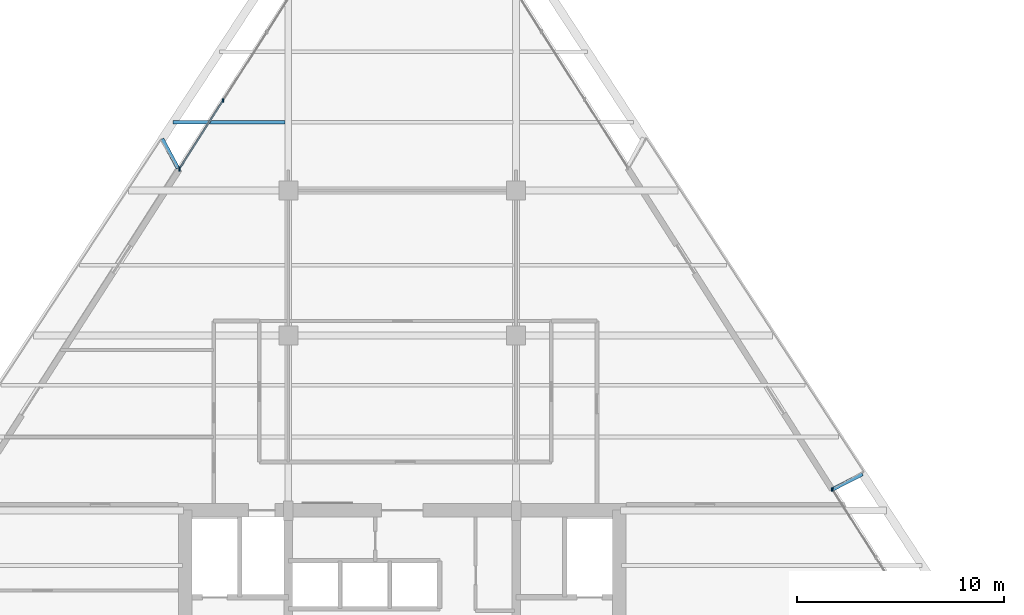
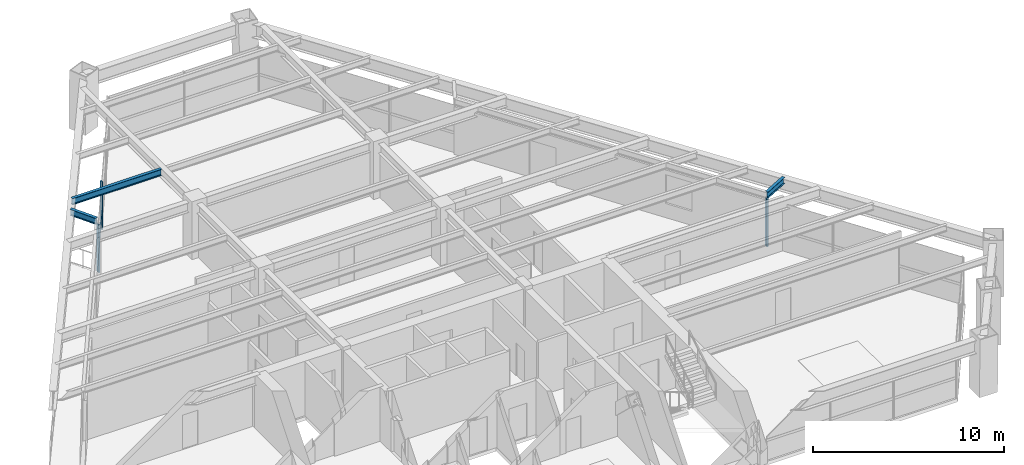
# One storey, part 8 of 15: 6 members, 3 beams, 2 elements without a shape of their own.
"""IFC4 building model written with IfcOpenShell, lengths in metres."""

from ifc_helpers import new_model, si_unit, direction, frame, origin, origin_2d, place, context, subcontext, project, spatial, rectangle, i_section, extrude, source, transform, mapped, material, material_profile, profile_set, type_object, element, aggregate, save


model = new_model("IFC4")

# Units and contexts
model_context = context("Model", 3, precision=1e-05, world=origin(), true_north=direction((0.0, 1.0)))
body_context = subcontext(model_context, "Body", "Model", "MODEL_VIEW")
ifc_project = project(units=[si_unit("LENGTHUNIT", "METRE"), si_unit("AREAUNIT", "SQUARE_METRE"), si_unit("VOLUMEUNIT", "CUBIC_METRE"), si_unit("PLANEANGLEUNIT", "RADIAN"), si_unit("MASSUNIT", "GRAM", prefix="KILO")], contexts=[model_context])

# Site, building, storey
site_placement = place(None, origin())
site = spatial("IfcSite", under=ifc_project, at=site_placement, CompositionType="ELEMENT")
building_placement = place(site_placement, origin())
building = spatial("IfcBuilding", under=site, at=building_placement, Name="Varnakhor Terracotta Tower", CompositionType="ELEMENT")
storey_placement = place(building_placement, frame((0.0, 0.0, 155.199951171875)))
storey = spatial("IfcBuildingStorey", under=building, at=storey_placement, Name="L39", CompositionType="ELEMENT", Elevation=155.199951171875)

# Beams
ifc_material_1 = material(Name="Steel S355", Category="steel")
ifc_material_profile_1 = material_profile(ifc_material_1, i_section(OverallWidth=0.179931640625, OverallDepth=0.4130859375, WebThickness=0.009765625, FlangeThickness=0.01611328125, FilletRadius=0.01806640625, at=origin_2d()), Name="W16X50")
ifc_profile_set_1 = profile_set([ifc_material_profile_1], Name="Steel S355")
beam_type_1 = type_object("IfcBeamType", Name="JST-W16X50", PredefinedType="JOIST", material=ifc_profile_set_1)
shared_shape_1 = source(origin(), body_context, "Body", "SweptSolid", [
    extrude(i_section(OverallWidth=0.179931640625, OverallDepth=0.4130859375, WebThickness=0.009765625, FlangeThickness=0.01611328125, FilletRadius=0.01806640625, at=origin_2d()), origin(), (0.0, 0.0, 1.0), 5.399658203125),
])
beam_1_placement = place(storey_placement, frame((-11.05810546875, 34.800048828125, 3.263427734375), z_axis=(1.0, 0.0, 0.0), x_axis=(0.0, 1.0, 0.0)))
element("IfcBeam", 1, at=beam_1_placement, inside=storey, type_object=beam_type_1, Name="L39 Composite Floor Joist 7-1", PredefinedType="JOIST", context=body_context, shape_type="MappedRepresentation", body=[
    mapped(shared_shape_1, transform((0.0, 0.0, 0.0), scale=1.0)),
])
ifc_material_profile_2 = material_profile(ifc_material_1, i_section(OverallWidth=0.179931640625, OverallDepth=0.39990234375, WebThickness=0.008544921875, FlangeThickness=0.013427734375, FilletRadius=0.01806640625, at=origin_2d()), Name="IPE400")
ifc_profile_set_2 = profile_set([ifc_material_profile_2], Name="Steel S355")
beam_type_2 = type_object("IfcBeamType", Name="JST-IPE400", PredefinedType="JOIST", material=ifc_profile_set_2)
shared_shape_2 = source(origin(), body_context, "Body", "SweptSolid", [
    extrude(i_section(OverallWidth=0.179931640625, OverallDepth=0.39990234375, WebThickness=0.008544921875, FlangeThickness=0.013427734375, FilletRadius=0.01806640625, at=origin_2d()), origin(), (0.0, 0.0, 1.0), 1.600830078125),
])
beam_2_placement = place(storey_placement, frame((-10.830810546875, 32.5810546875, 3.27001953125), z_axis=(-0.472653061735, 0.881248593322, 0.0), x_axis=(-0.881248593322, -0.472653061735, 0.0)))
element("IfcBeam", 2, at=beam_2_placement, inside=storey, type_object=beam_type_2, Name="L40 W Loggia Tie Beam 2", PredefinedType="JOIST", context=body_context, shape_type="MappedRepresentation", body=[
    mapped(shared_shape_2, transform((0.0, 0.0, 0.0), scale=1.0)),
])

# Curtain wall, members
ifc_material_2 = material(Name="Anodised Aluminium Curtain Wall System", Category="aluminium")
curtain_wall_type = type_object("IfcCurtainWallType", Name="CW-SYS-MID-OFFICE", PredefinedType="NOTDEFINED", material=ifc_material_2)
curtain_wall_1_placement = place(storey_placement, origin())
curtain_wall_1 = element("IfcCurtainWall", 3, at=curtain_wall_1_placement, inside=storey, type_object=curtain_wall_type, Name="L39 W Facet Curtain Wall 2", PredefinedType="NOTDEFINED")
ifc_material_3 = material(Name="Anodised Aluminium 6063-T6", Category="aluminium")
ifc_material_profile_3 = material_profile(ifc_material_3, rectangle(XDim=0.070068359375, YDim=0.175048828125, at=origin_2d()), Name="ALU MULLION 70x175")
ifc_profile_set_3 = profile_set([ifc_material_profile_3], Name="Anodised Aluminium 6063-T6")
member_type_1 = type_object("IfcMemberType", Name="CWM-03", PredefinedType="MULLION", material=ifc_profile_set_3)
shared_shape_3 = source(origin(), body_context, "Body", "SweptSolid", [
    extrude(rectangle(XDim=0.070068359375, YDim=0.175048828125, at=origin_2d()), origin(), (0.0, 0.0, 1.0), 3.050048828125),
])
member_1_placement = place(storey_placement, frame((-10.7568359375, 32.5625, 0.0), z_axis=(0.0, 0.0, 1.0), x_axis=(1.0, 0.0, 0.0)))
member_1 = element("IfcMember", 4, at=member_1_placement, type_object=member_type_1, Name="L39 W Facet Curtain Wall 2 Mullion 1", PredefinedType="MULLION", context=body_context, shape_type="MappedRepresentation", body=[
    mapped(shared_shape_3, transform((0.0, 0.0, 0.0), scale=1.0)),
])
member_2_placement = place(storey_placement, frame((-8.64501953125, 35.856201171875, 0.0), z_axis=(0.0, 0.0, 1.0), x_axis=(1.0, 0.0, 0.0)))
member_2 = element("IfcMember", 5, at=member_2_placement, type_object=member_type_1, Name="L39 W Facet Curtain Wall 2 Mullion 2", PredefinedType="MULLION", context=body_context, shape_type="MappedRepresentation", body=[
    mapped(shared_shape_3, transform((0.0, 0.0, 0.0), scale=1.0)),
])
member_3_placement = place(storey_placement, frame((-10.75634765625, 32.5263671875, 0.0), z_axis=(0.0, 0.0, 1.0), x_axis=(1.0, 0.0, 0.0)))
member_3 = element("IfcMember", 6, at=member_3_placement, type_object=member_type_1, Name="L39 W Loggia Jamb Closure Mullion 2", PredefinedType="MULLION", context=body_context, shape_type="MappedRepresentation", body=[
    mapped(shared_shape_3, transform((0.0, 0.0, 0.0), scale=1.0)),
])

curtain_wall_2_placement = place(storey_placement, origin())
curtain_wall_2 = element("IfcCurtainWall", 7, at=curtain_wall_2_placement, inside=storey, type_object=curtain_wall_type, Name="L39 E Facet Curtain Wall 2", PredefinedType="NOTDEFINED")
member_4_placement = place(storey_placement, frame((20.785888671875, 17.062255859375, 0.0), z_axis=(0.0, 0.0, 1.0), x_axis=(1.0, 0.0, 0.0)))
member_4 = element("IfcMember", 8, at=member_4_placement, type_object=member_type_1, Name="L39 E Facet Curtain Wall 2 Mullion 1", PredefinedType="MULLION", context=body_context, shape_type="MappedRepresentation", body=[
    mapped(shared_shape_3, transform((0.0, 0.0, 0.0), scale=1.0)),
])
member_5_placement = place(storey_placement, frame((20.7529296875, 17.076904296875, 0.0), z_axis=(0.0, 0.0, 1.0), x_axis=(1.0, 0.0, 0.0)))
member_5 = element("IfcMember", 9, at=member_5_placement, type_object=member_type_1, Name="L39 E Loggia Jamb Closure Mullion 2", PredefinedType="MULLION", context=body_context, shape_type="MappedRepresentation", body=[
    mapped(shared_shape_3, transform((0.0, 0.0, 0.0), scale=1.0)),
])
aggregate(curtain_wall_2, [member_4, member_5])

# Member
ifc_material_profile_4 = material_profile(ifc_material_3, rectangle(XDim=0.070068359375, YDim=0.155029296875, at=origin_2d()), Name="ALU TRANSOM 70x155")
ifc_profile_set_4 = profile_set([ifc_material_profile_4], Name="Anodised Aluminium 6063-T6")
member_type_2 = type_object("IfcMemberType", Name="CWT-03", PredefinedType="USERDEFINED", material=ifc_profile_set_4)
shared_shape_4 = source(origin(), body_context, "Body", "SweptSolid", [
    extrude(rectangle(XDim=0.070068359375, YDim=0.155029296875, at=origin_2d()), origin(), (0.0, 0.0, 1.0), 3.91259765625),
])
member_6_placement = place(storey_placement, frame((-10.7568359375, 32.5625, 1.281005859375), z_axis=(0.539751161832, 0.841824615523, 0.0), x_axis=(-0.841824615523, 0.539751161832, 0.0)))
member_6 = element("IfcMember", 10, at=member_6_placement, type_object=member_type_2, Name="L39 W Facet Curtain Wall 2 Transom 1", ObjectType="TRANSOM", PredefinedType="USERDEFINED", context=body_context, shape_type="MappedRepresentation", body=[
    mapped(shared_shape_4, transform((0.0, 0.0, 0.0), scale=1.0)),
])

aggregate(curtain_wall_1, [member_1, member_6, member_2, member_3])

# Beam
shared_shape_5 = source(origin(), body_context, "Body", "SweptSolid", [
    extrude(i_section(OverallWidth=0.179931640625, OverallDepth=0.39990234375, WebThickness=0.008544921875, FlangeThickness=0.013427734375, FilletRadius=0.01806640625, at=origin_2d()), origin(), (0.0, 0.0, 1.0), 1.62158203125),
])
beam_3_placement = place(storey_placement, frame((20.785400390625, 17.078857421875, 3.27001953125), z_axis=(0.890049324334, 0.455864234452, 0.0), x_axis=(-0.455864234452, 0.890049324334, 0.0)))
element("IfcBeam", 11, at=beam_3_placement, inside=storey, type_object=beam_type_2, Name="L40 E Loggia Tie Beam 2", PredefinedType="JOIST", context=body_context, shape_type="MappedRepresentation", body=[
    mapped(shared_shape_5, transform((0.0, 0.0, 0.0), scale=1.0)),
])

save(model, "model.ifc")
